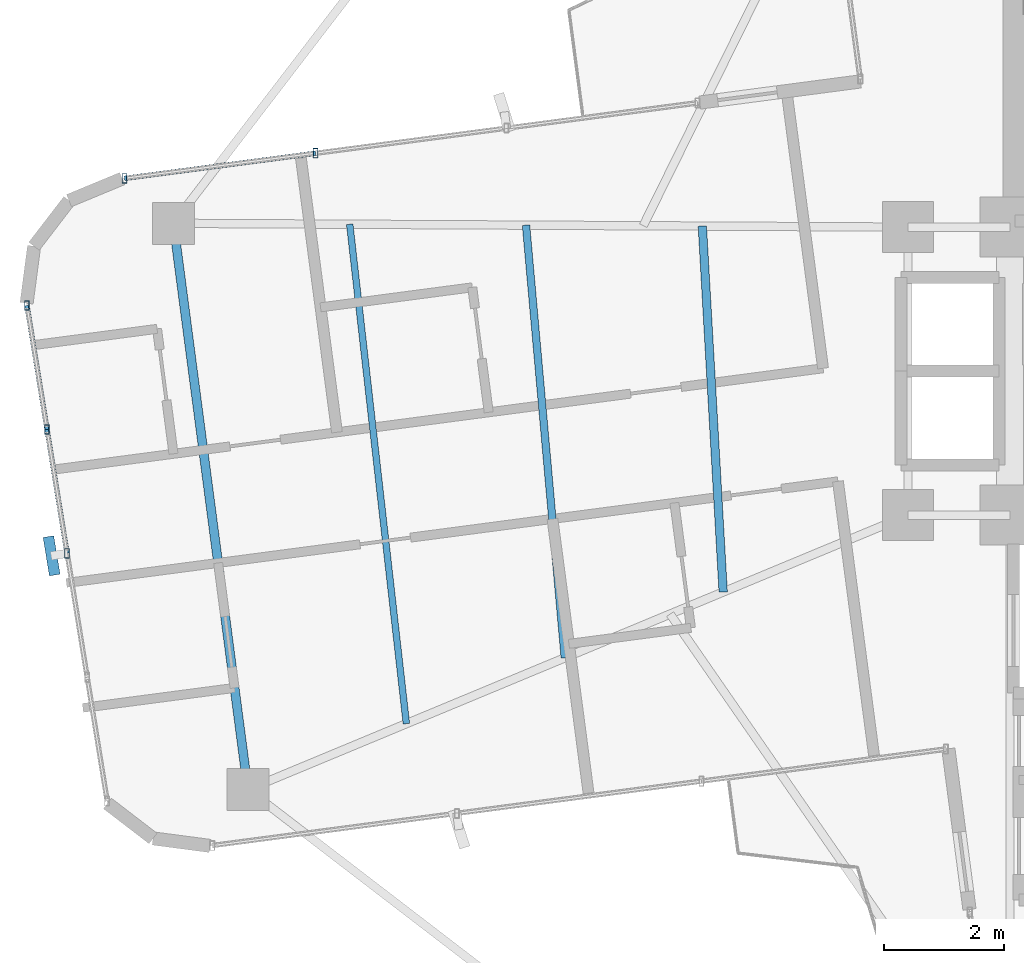
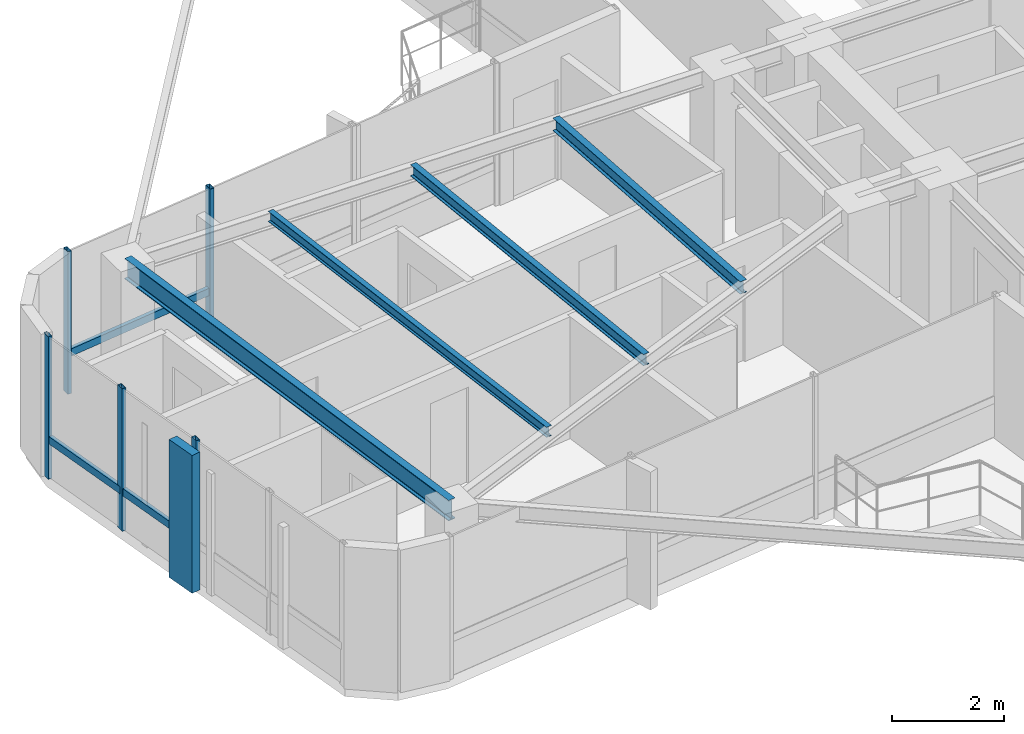
# One storey, part 7 of 23: 9 members, 4 beams, 2 elements without a shape of their own.
"""IFC4 building model written with IfcOpenShell, lengths in metres."""

from ifc_helpers import new_model, si_unit, direction, frame, origin, origin_2d, place, context, subcontext, project, spatial, rectangle, hollow_rectangle, i_section, extrude, source, transform, mapped, material, material_profile, profile_set, type_object, element, aggregate, save


model = new_model("IFC4")

# Units and contexts
model_context = context("Model", 3, precision=1e-05, world=origin(), true_north=direction((0.0, 1.0)))
body_context = subcontext(model_context, "Body", "Model", "MODEL_VIEW")
ifc_project = project(units=[si_unit("LENGTHUNIT", "METRE"), si_unit("AREAUNIT", "SQUARE_METRE"), si_unit("VOLUMEUNIT", "CUBIC_METRE"), si_unit("PLANEANGLEUNIT", "RADIAN"), si_unit("MASSUNIT", "GRAM", prefix="KILO")], contexts=[model_context])

# Site, building, storey
site_placement = place(None, origin())
site = spatial("IfcSite", under=ifc_project, at=site_placement, CompositionType="ELEMENT")
building_placement = place(site_placement, origin())
building = spatial("IfcBuilding", under=site, at=building_placement, Name="Sahyath Konkavel Grand Hotel", CompositionType="ELEMENT")
storey_placement = place(building_placement, frame((0.0, 0.0, 251.199951171875)))
storey = spatial("IfcBuildingStorey", under=building, at=storey_placement, Name="L70", CompositionType="ELEMENT", Elevation=251.199951171875)

# Beams
ifc_material_1 = material(Name="Steel E350", Category="steel")
ifc_material_profile_1 = material_profile(ifc_material_1, i_section(OverallWidth=0.14990234375, OverallDepth=0.449951171875, WebThickness=0.009521484375, FlangeThickness=0.017333984375, FilletRadius=0.014892578125, at=origin_2d()), Name="ISMB 450")
ifc_profile_set_1 = profile_set([ifc_material_profile_1], Name="Steel E350")
beam_type_1 = type_object("IfcBeamType", Name="BM-ISMB450", PredefinedType="BEAM", material=ifc_profile_set_1)
shared_shape_1 = source(origin(), body_context, "Body", "SweptSolid", [
    extrude(i_section(OverallWidth=0.14990234375, OverallDepth=0.449951171875, WebThickness=0.009521484375, FlangeThickness=0.017333984375, FilletRadius=0.014892578125, at=origin_2d()), origin(), (0.0, 0.0, 1.0), 9.515869140625),
])
beam_1_placement = place(storey_placement, frame((-17.740234375, 2.46337890625, 2.885009765625), z_axis=(0.130511587574, -0.991446784002, 0.0), x_axis=(0.991446784002, 0.130511587574, 0.0)))
element("IfcBeam", 1, at=beam_1_placement, inside=storey, type_object=beam_type_1, Name="L70 Wing Tip Edge Beam W", PredefinedType="BEAM", context=body_context, shape_type="MappedRepresentation", body=[
    mapped(shared_shape_1, transform((0.0, 0.0, 0.0), scale=1.0)),
])
ifc_material_profile_2 = material_profile(ifc_material_1, i_section(OverallWidth=0.139892578125, OverallDepth=0.27490234375, WebThickness=0.00634765625, FlangeThickness=0.0087890625, FilletRadius=0.012939453125, at=origin_2d()), Name="ISLB 275")
ifc_profile_set_2 = profile_set([ifc_material_profile_2], Name="Steel E350")
beam_type_2 = type_object("IfcBeamType", Name="BM-ISLB275", PredefinedType="BEAM", material=ifc_profile_set_2)
shared_shape_2 = source(origin(), body_context, "Body", "SweptSolid", [
    extrude(i_section(OverallWidth=0.139892578125, OverallDepth=0.27490234375, WebThickness=0.00634765625, FlangeThickness=0.0087890625, FilletRadius=0.012939453125, at=origin_2d()), origin(), (0.0, 0.0, 1.0), 6.107666015625),
])
beam_2_placement = place(storey_placement, frame((-8.92724609375, 2.417724609375, 2.97265625), z_axis=(0.056922291135, -0.998378611936, 0.0), x_axis=(0.998378611936, 0.056922291135, 0.0)))
element("IfcBeam", 2, at=beam_2_placement, inside=storey, type_object=beam_type_2, Name="L70 Secondary Floor Beam W-1", PredefinedType="BEAM", context=body_context, shape_type="MappedRepresentation", body=[
    mapped(shared_shape_2, transform((0.0, 0.0, 0.0), scale=1.0)),
])
ifc_material_profile_3 = material_profile(ifc_material_1, i_section(OverallWidth=0.125, OverallDepth=0.25, WebThickness=0.0068359375, FlangeThickness=0.012451171875, FilletRadius=0.012939453125, at=origin_2d()), Name="ISMB 250")
ifc_profile_set_3 = profile_set([ifc_material_profile_3], Name="Steel E350")
beam_type_3 = type_object("IfcBeamType", Name="BM-ISMB250", PredefinedType="BEAM", material=ifc_profile_set_3)
shared_shape_3 = source(origin(), body_context, "Body", "SweptSolid", [
    extrude(i_section(OverallWidth=0.125, OverallDepth=0.25, WebThickness=0.0068359375, FlangeThickness=0.012451171875, FilletRadius=0.012939453125, at=origin_2d()), origin(), (0.0, 0.0, 1.0), 7.239013671875),
])
beam_3_placement = place(storey_placement, frame((-11.864990234375, 2.43310546875, 2.985107421875), z_axis=(0.089237243592, -0.996010398719, 0.0), x_axis=(0.996010398719, 0.089237243592, 0.0)))
element("IfcBeam", 3, at=beam_3_placement, inside=storey, type_object=beam_type_3, Name="L70 Secondary Floor Beam W-2", PredefinedType="BEAM", context=body_context, shape_type="MappedRepresentation", body=[
    mapped(shared_shape_3, transform((0.0, 0.0, 0.0), scale=1.0)),
])
ifc_material_profile_4 = material_profile(ifc_material_1, i_section(OverallWidth=0.110107421875, OverallDepth=0.22509765625, WebThickness=0.006591796875, FlangeThickness=0.01171875, FilletRadius=0.011962890625, at=origin_2d()), Name="ISMB 225")
ifc_profile_set_4 = profile_set([ifc_material_profile_4], Name="Steel E350")
beam_type_4 = type_object("IfcBeamType", Name="BM-ISMB225", PredefinedType="BEAM", material=ifc_profile_set_4)
shared_shape_4 = source(origin(), body_context, "Body", "SweptSolid", [
    extrude(i_section(OverallWidth=0.110107421875, OverallDepth=0.22509765625, WebThickness=0.006591796875, FlangeThickness=0.01171875, FilletRadius=0.011962890625, at=origin_2d()), origin(), (0.0, 0.0, 1.0), 8.375732421875),
])
beam_4_placement = place(storey_placement, frame((-14.802490234375, 2.4482421875, 2.99755859375), z_axis=(0.112689930861, -0.993630202582, 0.0), x_axis=(0.993630202582, 0.112689930861, 0.0)))
element("IfcBeam", 4, at=beam_4_placement, inside=storey, type_object=beam_type_4, Name="L70 Secondary Floor Beam W-3", PredefinedType="BEAM", context=body_context, shape_type="MappedRepresentation", body=[
    mapped(shared_shape_4, transform((0.0, 0.0, 0.0), scale=1.0)),
])

# Curtain wall, member
ifc_material_2 = material(Name="Anodised Bronze Aluminium & Low-E Glazing", Category="aluminium")
curtain_wall_type = type_object("IfcCurtainWallType", Name="CW-ZONE4", PredefinedType="NOTDEFINED", material=ifc_material_2)
curtain_wall_1_placement = place(storey_placement, origin())
curtain_wall_1 = element("IfcCurtainWall", 5, at=curtain_wall_1_placement, inside=storey, type_object=curtain_wall_type, Name="L70 Unitised Curtain Wall F20", PredefinedType="NOTDEFINED")
ifc_material_3 = material(Name="Warm Buff Sandstone Cladding on Concrete C50/60", Category="masonry")
ifc_material_profile_5 = material_profile(ifc_material_3, rectangle(XDim=0.179931640625, YDim=0.64990234375, at=origin_2d()), Name="FIN 180x650")
ifc_profile_set_5 = profile_set([ifc_material_profile_5], Name="Warm Buff Sandstone Cladding on Concrete C50/60")
member_type_1 = type_object("IfcMemberType", Name="FIN-SANDSTONE-650", PredefinedType="MULLION", material=ifc_profile_set_5)
shared_shape_5 = source(origin(), body_context, "Body", "SweptSolid", [
    extrude(rectangle(XDim=0.179931640625, YDim=0.64990234375, at=origin_2d()), origin(), (0.0, 0.0, 1.0), 3.010009765625),
])
member_1_placement = place(storey_placement, frame((-19.7705078125, -3.076904296875, 0.050048828125), z_axis=(0.0, 0.0, 1.0), x_axis=(0.986572161607, 0.163325962242, 0.0)))
member_1 = element("IfcMember", 6, at=member_1_placement, type_object=member_type_1, Name="L70 Sandstone Vertical Solar Fin FIN F20-2", PredefinedType="MULLION", context=body_context, shape_type="MappedRepresentation", body=[
    mapped(shared_shape_5, transform((0.0, 0.0, 0.0), scale=1.0)),
])

# Curtain wall, members
curtain_wall_2_placement = place(storey_placement, origin())
curtain_wall_2 = element("IfcCurtainWall", 7, at=curtain_wall_2_placement, inside=storey, type_object=curtain_wall_type, Name="L70 Unitised Curtain Wall F16", PredefinedType="NOTDEFINED")
ifc_material_4 = material(Name="Anodised Bronze Aluminium", Category="aluminium")
ifc_material_profile_6 = material_profile(ifc_material_4, hollow_rectangle(XDim=0.080078125, YDim=0.159912109375, WallThickness=0.006103515625, at=origin_2d()), Name="RHS 160x80x6")
ifc_profile_set_6 = profile_set([ifc_material_profile_6], Name="Anodised Bronze Aluminium")
member_type_2 = type_object("IfcMemberType", Name="CW-MUL-160", PredefinedType="MULLION", material=ifc_profile_set_6)
shared_shape_6 = source(origin(), body_context, "Body", "SweptSolid", [
    extrude(hollow_rectangle(XDim=0.080078125, YDim=0.159912109375, WallThickness=0.006103515625, at=origin_2d()), origin(), (0.0, 0.0, 1.0), 3.110107421875),
])
member_2_placement = place(storey_placement, frame((-15.373046875, 3.632568359375, 0.0), z_axis=(0.0, 0.0, 1.0), x_axis=(1.0, 0.0, 0.0)))
member_2 = element("IfcMember", 8, at=member_2_placement, type_object=member_type_2, Name="L70 Curtain Wall Mullion F16-2", PredefinedType="MULLION", context=body_context, shape_type="MappedRepresentation", body=[
    mapped(shared_shape_6, transform((0.0, 0.0, 0.0), scale=1.0)),
])
member_3_placement = place(storey_placement, frame((-18.55517578125, 3.21337890625, 0.0), z_axis=(0.0, 0.0, 1.0), x_axis=(1.0, 0.0, 0.0)))
member_3 = element("IfcMember", 9, at=member_3_placement, type_object=member_type_2, Name="L70 Curtain Wall Mullion F16-3", PredefinedType="MULLION", context=body_context, shape_type="MappedRepresentation", body=[
    mapped(shared_shape_6, transform((0.0, 0.0, 0.0), scale=1.0)),
])

# Member
member_4_placement = place(storey_placement, frame((-20.18115234375, 1.09326171875, 0.0), z_axis=(0.0, 0.0, 1.0), x_axis=(1.0, 0.0, 0.0)))
member_4 = element("IfcMember", 10, at=member_4_placement, type_object=member_type_2, Name="L70 Curtain Wall Mullion F20-0", PredefinedType="MULLION", context=body_context, shape_type="MappedRepresentation", body=[
    mapped(shared_shape_6, transform((0.0, 0.0, 0.0), scale=1.0)),
])

member_5_placement = place(storey_placement, frame((-19.847412109375, -0.97119140625, 0.0), z_axis=(0.0, 0.0, 1.0), x_axis=(1.0, 0.0, 0.0)))
member_5 = element("IfcMember", 11, at=member_5_placement, type_object=member_type_2, Name="L70 Curtain Wall Mullion F20-1", PredefinedType="MULLION", context=body_context, shape_type="MappedRepresentation", body=[
    mapped(shared_shape_6, transform((0.0, 0.0, 0.0), scale=1.0)),
])

member_6_placement = place(storey_placement, frame((-19.513916015625, -3.035400390625, 0.0), z_axis=(0.0, 0.0, 1.0), x_axis=(1.0, 0.0, 0.0)))
member_6 = element("IfcMember", 12, at=member_6_placement, type_object=member_type_2, Name="L70 Curtain Wall Mullion F20-2", PredefinedType="MULLION", context=body_context, shape_type="MappedRepresentation", body=[
    mapped(shared_shape_6, transform((0.0, 0.0, 0.0), scale=1.0)),
])

ifc_material_profile_7 = material_profile(ifc_material_4, hollow_rectangle(XDim=0.080078125, YDim=0.159912109375, WallThickness=0.006103515625, at=origin_2d()), Name="RHS 160x80x6")
ifc_profile_set_7 = profile_set([ifc_material_profile_7], Name="Anodised Bronze Aluminium")
member_type_3 = type_object("IfcMemberType", Name="CW-TRN-160", PredefinedType="USERDEFINED", material=ifc_profile_set_7)
shared_shape_7 = source(origin(), body_context, "Body", "SweptSolid", [
    extrude(hollow_rectangle(XDim=0.080078125, YDim=0.159912109375, WallThickness=0.006103515625, at=origin_2d()), origin(), (0.0, 0.0, 1.0), 3.209716796875),
])
member_7_placement = place(storey_placement, frame((-15.373046875, 3.632568359375, 0.85009765625), z_axis=(-0.991434607751, -0.130604052594, 0.0), x_axis=(0.130604052594, -0.991434607751, 0.0)))
member_7 = element("IfcMember", 13, at=member_7_placement, type_object=member_type_3, Name="L70 Curtain Wall Transom F16-2-spandrel", ObjectType="TRANSOM", PredefinedType="USERDEFINED", context=body_context, shape_type="MappedRepresentation", body=[
    mapped(shared_shape_7, transform((0.0, 0.0, 0.0), scale=1.0)),
])

aggregate(curtain_wall_2, [member_2, member_3, member_7])

shared_shape_8 = source(origin(), body_context, "Body", "SweptSolid", [
    extrude(hollow_rectangle(XDim=0.080078125, YDim=0.159912109375, WallThickness=0.006103515625, at=origin_2d()), origin(), (0.0, 0.0, 1.0), 2.09130859375),
])
member_8_placement = place(storey_placement, frame((-20.18115234375, 1.09326171875, 0.85009765625), z_axis=(0.15958846084, -0.987183631938, 0.0), x_axis=(0.987183631938, 0.15958846084, 0.0)))
member_8 = element("IfcMember", 14, at=member_8_placement, type_object=member_type_3, Name="L70 Curtain Wall Transom F20-0-spandrel", ObjectType="TRANSOM", PredefinedType="USERDEFINED", context=body_context, shape_type="MappedRepresentation", body=[
    mapped(shared_shape_8, transform((0.0, 0.0, 0.0), scale=1.0)),
])

shared_shape_9 = source(origin(), body_context, "Body", "SweptSolid", [
    extrude(hollow_rectangle(XDim=0.080078125, YDim=0.159912109375, WallThickness=0.006103515625, at=origin_2d()), origin(), (0.0, 0.0, 1.0), 2.091064453125),
])
member_9_placement = place(storey_placement, frame((-19.847412109375, -0.97119140625, 0.85009765625), z_axis=(0.159493069181, -0.987199048259, 0.0), x_axis=(0.987199048259, 0.159493069181, 0.0)))
member_9 = element("IfcMember", 15, at=member_9_placement, type_object=member_type_3, Name="L70 Curtain Wall Transom F20-1-spandrel", ObjectType="TRANSOM", PredefinedType="USERDEFINED", context=body_context, shape_type="MappedRepresentation", body=[
    mapped(shared_shape_9, transform((0.0, 0.0, 0.0), scale=1.0)),
])

aggregate(curtain_wall_1, [member_4, member_5, member_6, member_1, member_8, member_9])

save(model, "model.ifc")
